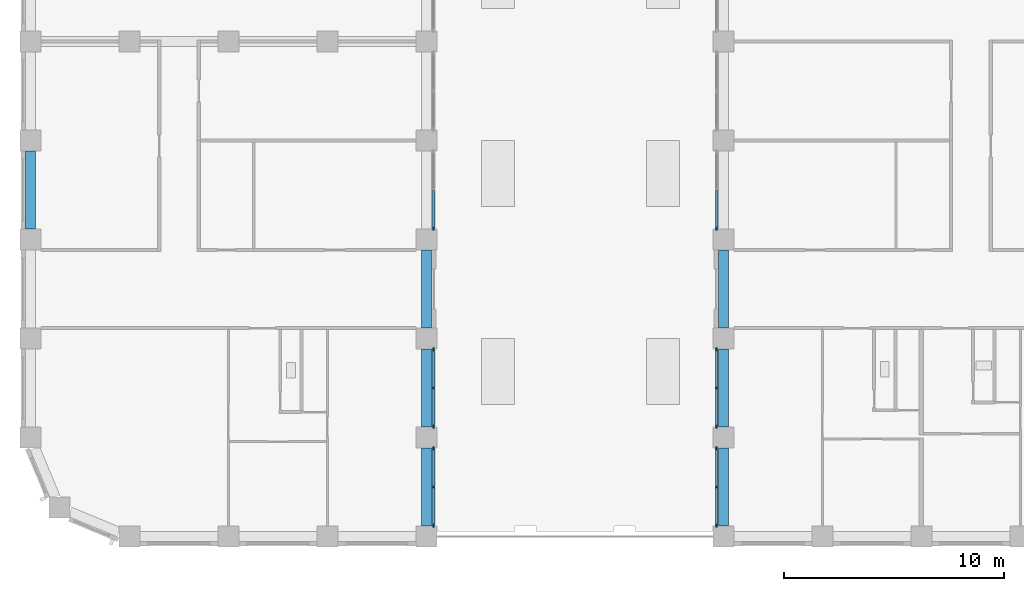
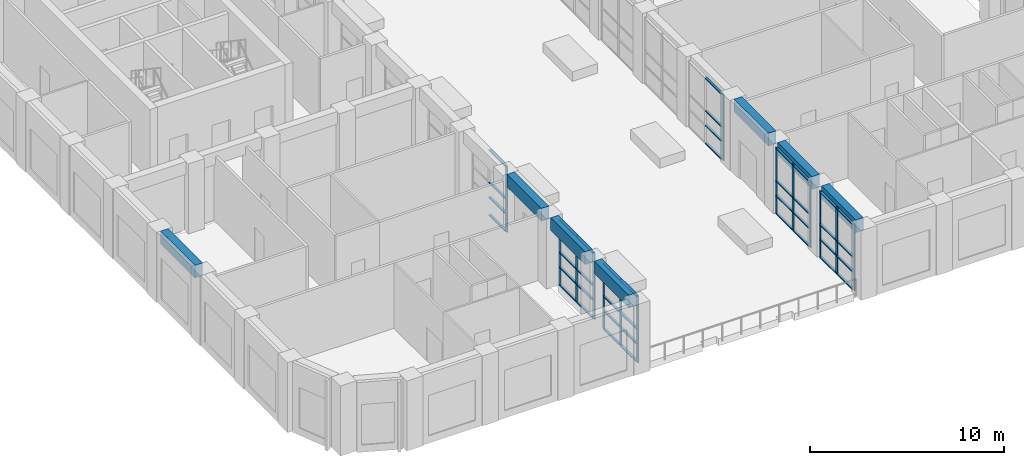
# One storey, part 2 of 20: 54 members, 7 beams, 6 elements without a shape of their own.
"""IFC4 building model written with IfcOpenShell, lengths in metres."""

from ifc_helpers import new_model, si_unit, direction, frame, origin, origin_2d, place, context, subcontext, project, spatial, rectangle, extrude, material, material_profile, profile_set, type_object, element, aggregate, save


model = new_model("IFC4")

# Units and contexts
model_context = context("Model", 3, precision=1e-05, world=origin(), true_north=direction((0.0, 1.0)))
body_context = subcontext(model_context, "Body", "Model", "MODEL_VIEW")
ifc_project = project(units=[si_unit("LENGTHUNIT", "METRE"), si_unit("AREAUNIT", "SQUARE_METRE"), si_unit("VOLUMEUNIT", "CUBIC_METRE"), si_unit("PLANEANGLEUNIT", "RADIAN"), si_unit("MASSUNIT", "GRAM", prefix="KILO")], contexts=[model_context])

# Site, building, storey
site_placement = place(None, origin())
site = spatial("IfcSite", under=ifc_project, at=site_placement, CompositionType="ELEMENT")
building_placement = place(site_placement, origin())
building = spatial("IfcBuilding", under=site, at=building_placement, Name="Girih Gate Residences", CompositionType="ELEMENT")
storey_placement = place(building_placement, frame((0.0, 0.0, 146.199951171875)))
storey = spatial("IfcBuildingStorey", under=building, at=storey_placement, Name="L41", CompositionType="ELEMENT", Elevation=146.199951171875)

# Curtain wall, members
ifc_material_1 = material(Name="Aluminium curtain wall frame", Category="aluminium")
curtain_wall_type = type_object("IfcCurtainWallType", Name="Curtain wall CW-3 sky lounge glazing", PredefinedType="NOTDEFINED", material=ifc_material_1)
curtain_wall_1_placement = place(storey_placement, origin())
curtain_wall_1 = element("IfcCurtainWall", 1, at=curtain_wall_1_placement, inside=storey, type_object=curtain_wall_type, Name="CW-3 Sky lounge glazing E0180_0000.0", PredefinedType="NOTDEFINED")
ifc_material_profile_1 = material_profile(ifc_material_1, rectangle(XDim=0.06005859375, YDim=0.179931640625, at=origin_2d()))
ifc_profile_set_1 = profile_set([ifc_material_profile_1], Name="Aluminium curtain wall frame")
member_type_1 = type_object("IfcMemberType", Name="Curtain wall mullion 60x180", PredefinedType="MULLION", material=ifc_profile_set_1)
member_1_placement = place(storey_placement, frame((18.31494140625, 0.5048828125, 0.0), z_axis=(0.0, 0.0, 1.0), x_axis=(-1.0, 0.0, 0.0)))
member_1 = element("IfcMember", 2, at=member_1_placement, type_object=member_type_1, Name="CW-3 mullion 1", PredefinedType="MULLION", context=body_context, shape_type="SweptSolid", body=[
    extrude(rectangle(XDim=0.06005859375, YDim=0.179931640625, at=origin_2d()), origin(), (0.0, 0.0, 1.0), 4.150146484375),
])
member_2_placement = place(storey_placement, frame((18.31494140625, 2.25, 0.0), z_axis=(0.0, 0.0, 1.0), x_axis=(-1.0, 0.0, 0.0)))
member_2 = element("IfcMember", 3, at=member_2_placement, type_object=member_type_1, Name="CW-3 mullion 2", PredefinedType="MULLION", context=body_context, shape_type="SweptSolid", body=[
    extrude(rectangle(XDim=0.06005859375, YDim=0.179931640625, at=origin_2d()), origin(), (0.0, 0.0, 1.0), 4.150146484375),
])
member_3_placement = place(storey_placement, frame((18.31494140625, 3.9951171875, 0.0), z_axis=(0.0, 0.0, 1.0), x_axis=(-1.0, 0.0, 0.0)))
member_3 = element("IfcMember", 4, at=member_3_placement, type_object=member_type_1, Name="CW-3 mullion 3", PredefinedType="MULLION", context=body_context, shape_type="SweptSolid", body=[
    extrude(rectangle(XDim=0.06005859375, YDim=0.179931640625, at=origin_2d()), origin(), (0.0, 0.0, 1.0), 4.150146484375),
])

curtain_wall_2_placement = place(storey_placement, origin())
curtain_wall_2 = element("IfcCurtainWall", 5, at=curtain_wall_2_placement, inside=storey, type_object=curtain_wall_type, Name="CW-3 Sky lounge glazing E0180_0000.1", PredefinedType="NOTDEFINED")
member_4_placement = place(storey_placement, frame((18.31494140625, 5.0048828125, 0.0), z_axis=(0.0, 0.0, 1.0), x_axis=(-1.0, 0.0, 0.0)))
member_4 = element("IfcMember", 6, at=member_4_placement, type_object=member_type_1, Name="CW-3 mullion 1", PredefinedType="MULLION", context=body_context, shape_type="SweptSolid", body=[
    extrude(rectangle(XDim=0.06005859375, YDim=0.179931640625, at=origin_2d()), origin(), (0.0, 0.0, 1.0), 4.150146484375),
])
member_5_placement = place(storey_placement, frame((18.31494140625, 6.75, 0.0), z_axis=(0.0, 0.0, 1.0), x_axis=(-1.0, 0.0, 0.0)))
member_5 = element("IfcMember", 7, at=member_5_placement, type_object=member_type_1, Name="CW-3 mullion 2", PredefinedType="MULLION", context=body_context, shape_type="SweptSolid", body=[
    extrude(rectangle(XDim=0.06005859375, YDim=0.179931640625, at=origin_2d()), origin(), (0.0, 0.0, 1.0), 4.150146484375),
])
member_6_placement = place(storey_placement, frame((18.31494140625, 8.4951171875, 0.0), z_axis=(0.0, 0.0, 1.0), x_axis=(-1.0, 0.0, 0.0)))
member_6 = element("IfcMember", 8, at=member_6_placement, type_object=member_type_1, Name="CW-3 mullion 3", PredefinedType="MULLION", context=body_context, shape_type="SweptSolid", body=[
    extrude(rectangle(XDim=0.06005859375, YDim=0.179931640625, at=origin_2d()), origin(), (0.0, 0.0, 1.0), 4.150146484375),
])

# Curtain wall, member
curtain_wall_3_placement = place(storey_placement, origin())
curtain_wall_3 = element("IfcCurtainWall", 9, at=curtain_wall_3_placement, inside=storey, type_object=curtain_wall_type, Name="CW-3 Sky lounge glazing E0180_0000.3", PredefinedType="NOTDEFINED")
member_7_placement = place(storey_placement, frame((18.31494140625, 14.0048828125, 0.0), z_axis=(0.0, 0.0, 1.0), x_axis=(-1.0, 0.0, 0.0)))
member_7 = element("IfcMember", 10, at=member_7_placement, type_object=member_type_1, Name="CW-3 mullion 1", PredefinedType="MULLION", context=body_context, shape_type="SweptSolid", body=[
    extrude(rectangle(XDim=0.06005859375, YDim=0.179931640625, at=origin_2d()), origin(), (0.0, 0.0, 1.0), 4.150146484375),
])

curtain_wall_4_placement = place(storey_placement, origin())
curtain_wall_4 = element("IfcCurtainWall", 11, at=curtain_wall_4_placement, inside=storey, type_object=curtain_wall_type, Name="CW-3 Sky lounge glazing W0315_0495.7", PredefinedType="NOTDEFINED")
member_8_placement = place(storey_placement, frame((31.18505859375, 14.0048828125, 0.0), z_axis=(0.0, 0.0, 1.0), x_axis=(1.0, 0.0, 0.0)))
member_8 = element("IfcMember", 12, at=member_8_placement, type_object=member_type_1, Name="CW-3 mullion 3", PredefinedType="MULLION", context=body_context, shape_type="SweptSolid", body=[
    extrude(rectangle(XDim=0.06005859375, YDim=0.179931640625, at=origin_2d()), origin(), (0.0, 0.0, 1.0), 4.150146484375),
])

# Curtain wall, members
curtain_wall_5_placement = place(storey_placement, origin())
curtain_wall_5 = element("IfcCurtainWall", 13, at=curtain_wall_5_placement, inside=storey, type_object=curtain_wall_type, Name="CW-3 Sky lounge glazing W0315_0495.9", PredefinedType="NOTDEFINED")
member_9_placement = place(storey_placement, frame((31.18505859375, 8.4951171875, 0.0), z_axis=(0.0, 0.0, 1.0), x_axis=(1.0, 0.0, 0.0)))
member_9 = element("IfcMember", 14, at=member_9_placement, type_object=member_type_1, Name="CW-3 mullion 1", PredefinedType="MULLION", context=body_context, shape_type="SweptSolid", body=[
    extrude(rectangle(XDim=0.06005859375, YDim=0.179931640625, at=origin_2d()), origin(), (0.0, 0.0, 1.0), 4.150146484375),
])
member_10_placement = place(storey_placement, frame((31.18505859375, 6.75, 0.0), z_axis=(0.0, 0.0, 1.0), x_axis=(1.0, 0.0, 0.0)))
member_10 = element("IfcMember", 15, at=member_10_placement, type_object=member_type_1, Name="CW-3 mullion 2", PredefinedType="MULLION", context=body_context, shape_type="SweptSolid", body=[
    extrude(rectangle(XDim=0.06005859375, YDim=0.179931640625, at=origin_2d()), origin(), (0.0, 0.0, 1.0), 4.150146484375),
])
member_11_placement = place(storey_placement, frame((31.18505859375, 5.0048828125, 0.0), z_axis=(0.0, 0.0, 1.0), x_axis=(1.0, 0.0, 0.0)))
member_11 = element("IfcMember", 16, at=member_11_placement, type_object=member_type_1, Name="CW-3 mullion 3", PredefinedType="MULLION", context=body_context, shape_type="SweptSolid", body=[
    extrude(rectangle(XDim=0.06005859375, YDim=0.179931640625, at=origin_2d()), origin(), (0.0, 0.0, 1.0), 4.150146484375),
])

curtain_wall_6_placement = place(storey_placement, origin())
curtain_wall_6 = element("IfcCurtainWall", 17, at=curtain_wall_6_placement, inside=storey, type_object=curtain_wall_type, Name="CW-3 Sky lounge glazing W0315_0495.10", PredefinedType="NOTDEFINED")
member_12_placement = place(storey_placement, frame((31.18505859375, 3.9951171875, 0.0), z_axis=(0.0, 0.0, 1.0), x_axis=(1.0, 0.0, 0.0)))
member_12 = element("IfcMember", 18, at=member_12_placement, type_object=member_type_1, Name="CW-3 mullion 1", PredefinedType="MULLION", context=body_context, shape_type="SweptSolid", body=[
    extrude(rectangle(XDim=0.06005859375, YDim=0.179931640625, at=origin_2d()), origin(), (0.0, 0.0, 1.0), 4.150146484375),
])
member_13_placement = place(storey_placement, frame((31.18505859375, 2.25, 0.0), z_axis=(0.0, 0.0, 1.0), x_axis=(1.0, 0.0, 0.0)))
member_13 = element("IfcMember", 19, at=member_13_placement, type_object=member_type_1, Name="CW-3 mullion 2", PredefinedType="MULLION", context=body_context, shape_type="SweptSolid", body=[
    extrude(rectangle(XDim=0.06005859375, YDim=0.179931640625, at=origin_2d()), origin(), (0.0, 0.0, 1.0), 4.150146484375),
])
member_14_placement = place(storey_placement, frame((31.18505859375, 0.5048828125, 0.0), z_axis=(0.0, 0.0, 1.0), x_axis=(1.0, 0.0, 0.0)))
member_14 = element("IfcMember", 20, at=member_14_placement, type_object=member_type_1, Name="CW-3 mullion 3", PredefinedType="MULLION", context=body_context, shape_type="SweptSolid", body=[
    extrude(rectangle(XDim=0.06005859375, YDim=0.179931640625, at=origin_2d()), origin(), (0.0, 0.0, 1.0), 4.150146484375),
])

# Member
ifc_material_profile_2 = material_profile(ifc_material_1, rectangle(XDim=0.139892578125, YDim=0.06005859375, at=origin_2d()))
ifc_profile_set_2 = profile_set([ifc_material_profile_2], Name="Aluminium curtain wall frame")
member_type_2 = type_object("IfcMemberType", Name="Curtain wall transom 60x140", PredefinedType="USERDEFINED", material=ifc_profile_set_2)
member_15_placement = place(storey_placement, frame((18.31494140625, 0.534912109375, 0.030029296875), z_axis=(0.0, 1.0, 0.0), x_axis=(-1.0, 0.0, 0.0)))
member_15 = element("IfcMember", 21, at=member_15_placement, type_object=member_type_2, Name="CW-3 transom 1.1", ObjectType="TRANSOM", PredefinedType="USERDEFINED", context=body_context, shape_type="SweptSolid", body=[
    extrude(rectangle(XDim=0.139892578125, YDim=0.06005859375, at=origin_2d()), origin(), (0.0, 0.0, 1.0), 1.68505859375),
])

member_16_placement = place(storey_placement, frame((18.31494140625, 0.534912109375, 1.150146484375), z_axis=(0.0, 1.0, 0.0), x_axis=(-1.0, 0.0, 0.0)))
member_16 = element("IfcMember", 22, at=member_16_placement, type_object=member_type_2, Name="CW-3 transom 1.2", ObjectType="TRANSOM", PredefinedType="USERDEFINED", context=body_context, shape_type="SweptSolid", body=[
    extrude(rectangle(XDim=0.139892578125, YDim=0.06005859375, at=origin_2d()), origin(), (0.0, 0.0, 1.0), 1.68505859375),
])

member_17_placement = place(storey_placement, frame((18.31494140625, 0.534912109375, 2.074951171875), z_axis=(0.0, 1.0, 0.0), x_axis=(-1.0, 0.0, 0.0)))
member_17 = element("IfcMember", 23, at=member_17_placement, type_object=member_type_2, Name="CW-3 transom 1.3", ObjectType="TRANSOM", PredefinedType="USERDEFINED", context=body_context, shape_type="SweptSolid", body=[
    extrude(rectangle(XDim=0.139892578125, YDim=0.06005859375, at=origin_2d()), origin(), (0.0, 0.0, 1.0), 1.68505859375),
])

member_18_placement = place(storey_placement, frame((18.31494140625, 0.534912109375, 4.1201171875), z_axis=(0.0, 1.0, 0.0), x_axis=(-1.0, 0.0, 0.0)))
member_18 = element("IfcMember", 24, at=member_18_placement, type_object=member_type_2, Name="CW-3 transom 1.4", ObjectType="TRANSOM", PredefinedType="USERDEFINED", context=body_context, shape_type="SweptSolid", body=[
    extrude(rectangle(XDim=0.139892578125, YDim=0.06005859375, at=origin_2d()), origin(), (0.0, 0.0, 1.0), 1.68505859375),
])

member_19_placement = place(storey_placement, frame((18.31494140625, 2.280029296875, 0.030029296875), z_axis=(0.0, 1.0, 0.0), x_axis=(-1.0, 0.0, 0.0)))
member_19 = element("IfcMember", 25, at=member_19_placement, type_object=member_type_2, Name="CW-3 transom 2.1", ObjectType="TRANSOM", PredefinedType="USERDEFINED", context=body_context, shape_type="SweptSolid", body=[
    extrude(rectangle(XDim=0.139892578125, YDim=0.06005859375, at=origin_2d()), origin(), (0.0, 0.0, 1.0), 1.68505859375),
])

member_20_placement = place(storey_placement, frame((18.31494140625, 2.280029296875, 1.150146484375), z_axis=(0.0, 1.0, 0.0), x_axis=(-1.0, 0.0, 0.0)))
member_20 = element("IfcMember", 26, at=member_20_placement, type_object=member_type_2, Name="CW-3 transom 2.2", ObjectType="TRANSOM", PredefinedType="USERDEFINED", context=body_context, shape_type="SweptSolid", body=[
    extrude(rectangle(XDim=0.139892578125, YDim=0.06005859375, at=origin_2d()), origin(), (0.0, 0.0, 1.0), 1.68505859375),
])

member_21_placement = place(storey_placement, frame((18.31494140625, 2.280029296875, 2.074951171875), z_axis=(0.0, 1.0, 0.0), x_axis=(-1.0, 0.0, 0.0)))
member_21 = element("IfcMember", 27, at=member_21_placement, type_object=member_type_2, Name="CW-3 transom 2.3", ObjectType="TRANSOM", PredefinedType="USERDEFINED", context=body_context, shape_type="SweptSolid", body=[
    extrude(rectangle(XDim=0.139892578125, YDim=0.06005859375, at=origin_2d()), origin(), (0.0, 0.0, 1.0), 1.68505859375),
])

member_22_placement = place(storey_placement, frame((18.31494140625, 2.280029296875, 4.1201171875), z_axis=(0.0, 1.0, 0.0), x_axis=(-1.0, 0.0, 0.0)))
member_22 = element("IfcMember", 28, at=member_22_placement, type_object=member_type_2, Name="CW-3 transom 2.4", ObjectType="TRANSOM", PredefinedType="USERDEFINED", context=body_context, shape_type="SweptSolid", body=[
    extrude(rectangle(XDim=0.139892578125, YDim=0.06005859375, at=origin_2d()), origin(), (0.0, 0.0, 1.0), 1.68505859375),
])

aggregate(curtain_wall_1, [member_1, member_2, member_3, member_15, member_16, member_17, member_18, member_19, member_20, member_21, member_22])

member_23_placement = place(storey_placement, frame((18.31494140625, 5.034912109375, 0.030029296875), z_axis=(0.0, 1.0, 0.0), x_axis=(-1.0, 0.0, 0.0)))
member_23 = element("IfcMember", 29, at=member_23_placement, type_object=member_type_2, Name="CW-3 transom 1.1", ObjectType="TRANSOM", PredefinedType="USERDEFINED", context=body_context, shape_type="SweptSolid", body=[
    extrude(rectangle(XDim=0.139892578125, YDim=0.06005859375, at=origin_2d()), origin(), (0.0, 0.0, 1.0), 1.68505859375),
])

member_24_placement = place(storey_placement, frame((18.31494140625, 5.034912109375, 1.150146484375), z_axis=(0.0, 1.0, 0.0), x_axis=(-1.0, 0.0, 0.0)))
member_24 = element("IfcMember", 30, at=member_24_placement, type_object=member_type_2, Name="CW-3 transom 1.2", ObjectType="TRANSOM", PredefinedType="USERDEFINED", context=body_context, shape_type="SweptSolid", body=[
    extrude(rectangle(XDim=0.139892578125, YDim=0.06005859375, at=origin_2d()), origin(), (0.0, 0.0, 1.0), 1.68505859375),
])

member_25_placement = place(storey_placement, frame((18.31494140625, 5.034912109375, 2.074951171875), z_axis=(0.0, 1.0, 0.0), x_axis=(-1.0, 0.0, 0.0)))
member_25 = element("IfcMember", 31, at=member_25_placement, type_object=member_type_2, Name="CW-3 transom 1.3", ObjectType="TRANSOM", PredefinedType="USERDEFINED", context=body_context, shape_type="SweptSolid", body=[
    extrude(rectangle(XDim=0.139892578125, YDim=0.06005859375, at=origin_2d()), origin(), (0.0, 0.0, 1.0), 1.68505859375),
])

member_26_placement = place(storey_placement, frame((18.31494140625, 5.034912109375, 4.1201171875), z_axis=(0.0, 1.0, 0.0), x_axis=(-1.0, 0.0, 0.0)))
member_26 = element("IfcMember", 32, at=member_26_placement, type_object=member_type_2, Name="CW-3 transom 1.4", ObjectType="TRANSOM", PredefinedType="USERDEFINED", context=body_context, shape_type="SweptSolid", body=[
    extrude(rectangle(XDim=0.139892578125, YDim=0.06005859375, at=origin_2d()), origin(), (0.0, 0.0, 1.0), 1.68505859375),
])

member_27_placement = place(storey_placement, frame((18.31494140625, 6.780029296875, 0.030029296875), z_axis=(0.0, 1.0, 0.0), x_axis=(-1.0, 0.0, 0.0)))
member_27 = element("IfcMember", 33, at=member_27_placement, type_object=member_type_2, Name="CW-3 transom 2.1", ObjectType="TRANSOM", PredefinedType="USERDEFINED", context=body_context, shape_type="SweptSolid", body=[
    extrude(rectangle(XDim=0.139892578125, YDim=0.06005859375, at=origin_2d()), origin(), (0.0, 0.0, 1.0), 1.68505859375),
])

member_28_placement = place(storey_placement, frame((18.31494140625, 6.780029296875, 1.150146484375), z_axis=(0.0, 1.0, 0.0), x_axis=(-1.0, 0.0, 0.0)))
member_28 = element("IfcMember", 34, at=member_28_placement, type_object=member_type_2, Name="CW-3 transom 2.2", ObjectType="TRANSOM", PredefinedType="USERDEFINED", context=body_context, shape_type="SweptSolid", body=[
    extrude(rectangle(XDim=0.139892578125, YDim=0.06005859375, at=origin_2d()), origin(), (0.0, 0.0, 1.0), 1.68505859375),
])

member_29_placement = place(storey_placement, frame((18.31494140625, 6.780029296875, 2.074951171875), z_axis=(0.0, 1.0, 0.0), x_axis=(-1.0, 0.0, 0.0)))
member_29 = element("IfcMember", 35, at=member_29_placement, type_object=member_type_2, Name="CW-3 transom 2.3", ObjectType="TRANSOM", PredefinedType="USERDEFINED", context=body_context, shape_type="SweptSolid", body=[
    extrude(rectangle(XDim=0.139892578125, YDim=0.06005859375, at=origin_2d()), origin(), (0.0, 0.0, 1.0), 1.68505859375),
])

member_30_placement = place(storey_placement, frame((18.31494140625, 6.780029296875, 4.1201171875), z_axis=(0.0, 1.0, 0.0), x_axis=(-1.0, 0.0, 0.0)))
member_30 = element("IfcMember", 36, at=member_30_placement, type_object=member_type_2, Name="CW-3 transom 2.4", ObjectType="TRANSOM", PredefinedType="USERDEFINED", context=body_context, shape_type="SweptSolid", body=[
    extrude(rectangle(XDim=0.139892578125, YDim=0.06005859375, at=origin_2d()), origin(), (0.0, 0.0, 1.0), 1.68505859375),
])

aggregate(curtain_wall_2, [member_4, member_5, member_6, member_23, member_24, member_25, member_26, member_27, member_28, member_29, member_30])

member_31_placement = place(storey_placement, frame((18.31494140625, 14.034912109375, 0.030029296875), z_axis=(0.0, 1.0, 0.0), x_axis=(-1.0, 0.0, 0.0)))
member_31 = element("IfcMember", 37, at=member_31_placement, type_object=member_type_2, Name="CW-3 transom 1.1", ObjectType="TRANSOM", PredefinedType="USERDEFINED", context=body_context, shape_type="SweptSolid", body=[
    extrude(rectangle(XDim=0.139892578125, YDim=0.06005859375, at=origin_2d()), origin(), (0.0, 0.0, 1.0), 1.68505859375),
])

member_32_placement = place(storey_placement, frame((18.31494140625, 14.034912109375, 1.150146484375), z_axis=(0.0, 1.0, 0.0), x_axis=(-1.0, 0.0, 0.0)))
member_32 = element("IfcMember", 38, at=member_32_placement, type_object=member_type_2, Name="CW-3 transom 1.2", ObjectType="TRANSOM", PredefinedType="USERDEFINED", context=body_context, shape_type="SweptSolid", body=[
    extrude(rectangle(XDim=0.139892578125, YDim=0.06005859375, at=origin_2d()), origin(), (0.0, 0.0, 1.0), 1.68505859375),
])

member_33_placement = place(storey_placement, frame((18.31494140625, 14.034912109375, 2.074951171875), z_axis=(0.0, 1.0, 0.0), x_axis=(-1.0, 0.0, 0.0)))
member_33 = element("IfcMember", 39, at=member_33_placement, type_object=member_type_2, Name="CW-3 transom 1.3", ObjectType="TRANSOM", PredefinedType="USERDEFINED", context=body_context, shape_type="SweptSolid", body=[
    extrude(rectangle(XDim=0.139892578125, YDim=0.06005859375, at=origin_2d()), origin(), (0.0, 0.0, 1.0), 1.68505859375),
])

member_34_placement = place(storey_placement, frame((18.31494140625, 14.034912109375, 4.1201171875), z_axis=(0.0, 1.0, 0.0), x_axis=(-1.0, 0.0, 0.0)))
member_34 = element("IfcMember", 40, at=member_34_placement, type_object=member_type_2, Name="CW-3 transom 1.4", ObjectType="TRANSOM", PredefinedType="USERDEFINED", context=body_context, shape_type="SweptSolid", body=[
    extrude(rectangle(XDim=0.139892578125, YDim=0.06005859375, at=origin_2d()), origin(), (0.0, 0.0, 1.0), 1.68505859375),
])

aggregate(curtain_wall_3, [member_7, member_31, member_32, member_33, member_34])

member_35_placement = place(storey_placement, frame((31.18505859375, 15.719970703125, 0.030029296875), z_axis=(0.0, -1.0, 0.0), x_axis=(1.0, 0.0, 0.0)))
member_35 = element("IfcMember", 41, at=member_35_placement, type_object=member_type_2, Name="CW-3 transom 2.1", ObjectType="TRANSOM", PredefinedType="USERDEFINED", context=body_context, shape_type="SweptSolid", body=[
    extrude(rectangle(XDim=0.139892578125, YDim=0.06005859375, at=origin_2d()), origin(), (0.0, 0.0, 1.0), 1.68505859375),
])

member_36_placement = place(storey_placement, frame((31.18505859375, 15.719970703125, 1.150146484375), z_axis=(0.0, -1.0, 0.0), x_axis=(1.0, 0.0, 0.0)))
member_36 = element("IfcMember", 42, at=member_36_placement, type_object=member_type_2, Name="CW-3 transom 2.2", ObjectType="TRANSOM", PredefinedType="USERDEFINED", context=body_context, shape_type="SweptSolid", body=[
    extrude(rectangle(XDim=0.139892578125, YDim=0.06005859375, at=origin_2d()), origin(), (0.0, 0.0, 1.0), 1.68505859375),
])

member_37_placement = place(storey_placement, frame((31.18505859375, 15.719970703125, 2.074951171875), z_axis=(0.0, -1.0, 0.0), x_axis=(1.0, 0.0, 0.0)))
member_37 = element("IfcMember", 43, at=member_37_placement, type_object=member_type_2, Name="CW-3 transom 2.3", ObjectType="TRANSOM", PredefinedType="USERDEFINED", context=body_context, shape_type="SweptSolid", body=[
    extrude(rectangle(XDim=0.139892578125, YDim=0.06005859375, at=origin_2d()), origin(), (0.0, 0.0, 1.0), 1.68505859375),
])

member_38_placement = place(storey_placement, frame((31.18505859375, 15.719970703125, 4.1201171875), z_axis=(0.0, -1.0, 0.0), x_axis=(1.0, 0.0, 0.0)))
member_38 = element("IfcMember", 44, at=member_38_placement, type_object=member_type_2, Name="CW-3 transom 2.4", ObjectType="TRANSOM", PredefinedType="USERDEFINED", context=body_context, shape_type="SweptSolid", body=[
    extrude(rectangle(XDim=0.139892578125, YDim=0.06005859375, at=origin_2d()), origin(), (0.0, 0.0, 1.0), 1.68505859375),
])

aggregate(curtain_wall_4, [member_8, member_35, member_36, member_37, member_38])

member_39_placement = place(storey_placement, frame((31.18505859375, 8.465087890625, 0.030029296875), z_axis=(0.0, -1.0, 0.0), x_axis=(1.0, 0.0, 0.0)))
member_39 = element("IfcMember", 45, at=member_39_placement, type_object=member_type_2, Name="CW-3 transom 1.1", ObjectType="TRANSOM", PredefinedType="USERDEFINED", context=body_context, shape_type="SweptSolid", body=[
    extrude(rectangle(XDim=0.139892578125, YDim=0.06005859375, at=origin_2d()), origin(), (0.0, 0.0, 1.0), 1.68505859375),
])

member_40_placement = place(storey_placement, frame((31.18505859375, 8.465087890625, 1.150146484375), z_axis=(0.0, -1.0, 0.0), x_axis=(1.0, 0.0, 0.0)))
member_40 = element("IfcMember", 46, at=member_40_placement, type_object=member_type_2, Name="CW-3 transom 1.2", ObjectType="TRANSOM", PredefinedType="USERDEFINED", context=body_context, shape_type="SweptSolid", body=[
    extrude(rectangle(XDim=0.139892578125, YDim=0.06005859375, at=origin_2d()), origin(), (0.0, 0.0, 1.0), 1.68505859375),
])

member_41_placement = place(storey_placement, frame((31.18505859375, 8.465087890625, 2.074951171875), z_axis=(0.0, -1.0, 0.0), x_axis=(1.0, 0.0, 0.0)))
member_41 = element("IfcMember", 47, at=member_41_placement, type_object=member_type_2, Name="CW-3 transom 1.3", ObjectType="TRANSOM", PredefinedType="USERDEFINED", context=body_context, shape_type="SweptSolid", body=[
    extrude(rectangle(XDim=0.139892578125, YDim=0.06005859375, at=origin_2d()), origin(), (0.0, 0.0, 1.0), 1.68505859375),
])

member_42_placement = place(storey_placement, frame((31.18505859375, 8.465087890625, 4.1201171875), z_axis=(0.0, -1.0, 0.0), x_axis=(1.0, 0.0, 0.0)))
member_42 = element("IfcMember", 48, at=member_42_placement, type_object=member_type_2, Name="CW-3 transom 1.4", ObjectType="TRANSOM", PredefinedType="USERDEFINED", context=body_context, shape_type="SweptSolid", body=[
    extrude(rectangle(XDim=0.139892578125, YDim=0.06005859375, at=origin_2d()), origin(), (0.0, 0.0, 1.0), 1.68505859375),
])

member_43_placement = place(storey_placement, frame((31.18505859375, 6.719970703125, 0.030029296875), z_axis=(0.0, -1.0, 0.0), x_axis=(1.0, 0.0, 0.0)))
member_43 = element("IfcMember", 49, at=member_43_placement, type_object=member_type_2, Name="CW-3 transom 2.1", ObjectType="TRANSOM", PredefinedType="USERDEFINED", context=body_context, shape_type="SweptSolid", body=[
    extrude(rectangle(XDim=0.139892578125, YDim=0.06005859375, at=origin_2d()), origin(), (0.0, 0.0, 1.0), 1.68505859375),
])

member_44_placement = place(storey_placement, frame((31.18505859375, 6.719970703125, 1.150146484375), z_axis=(0.0, -1.0, 0.0), x_axis=(1.0, 0.0, 0.0)))
member_44 = element("IfcMember", 50, at=member_44_placement, type_object=member_type_2, Name="CW-3 transom 2.2", ObjectType="TRANSOM", PredefinedType="USERDEFINED", context=body_context, shape_type="SweptSolid", body=[
    extrude(rectangle(XDim=0.139892578125, YDim=0.06005859375, at=origin_2d()), origin(), (0.0, 0.0, 1.0), 1.68505859375),
])

member_45_placement = place(storey_placement, frame((31.18505859375, 6.719970703125, 2.074951171875), z_axis=(0.0, -1.0, 0.0), x_axis=(1.0, 0.0, 0.0)))
member_45 = element("IfcMember", 51, at=member_45_placement, type_object=member_type_2, Name="CW-3 transom 2.3", ObjectType="TRANSOM", PredefinedType="USERDEFINED", context=body_context, shape_type="SweptSolid", body=[
    extrude(rectangle(XDim=0.139892578125, YDim=0.06005859375, at=origin_2d()), origin(), (0.0, 0.0, 1.0), 1.68505859375),
])

member_46_placement = place(storey_placement, frame((31.18505859375, 6.719970703125, 4.1201171875), z_axis=(0.0, -1.0, 0.0), x_axis=(1.0, 0.0, 0.0)))
member_46 = element("IfcMember", 52, at=member_46_placement, type_object=member_type_2, Name="CW-3 transom 2.4", ObjectType="TRANSOM", PredefinedType="USERDEFINED", context=body_context, shape_type="SweptSolid", body=[
    extrude(rectangle(XDim=0.139892578125, YDim=0.06005859375, at=origin_2d()), origin(), (0.0, 0.0, 1.0), 1.68505859375),
])

aggregate(curtain_wall_5, [member_9, member_10, member_11, member_39, member_40, member_41, member_42, member_43, member_44, member_45, member_46])

member_47_placement = place(storey_placement, frame((31.18505859375, 3.965087890625, 0.030029296875), z_axis=(0.0, -1.0, 0.0), x_axis=(1.0, 0.0, 0.0)))
member_47 = element("IfcMember", 53, at=member_47_placement, type_object=member_type_2, Name="CW-3 transom 1.1", ObjectType="TRANSOM", PredefinedType="USERDEFINED", context=body_context, shape_type="SweptSolid", body=[
    extrude(rectangle(XDim=0.139892578125, YDim=0.06005859375, at=origin_2d()), origin(), (0.0, 0.0, 1.0), 1.68505859375),
])

member_48_placement = place(storey_placement, frame((31.18505859375, 3.965087890625, 1.150146484375), z_axis=(0.0, -1.0, 0.0), x_axis=(1.0, 0.0, 0.0)))
member_48 = element("IfcMember", 54, at=member_48_placement, type_object=member_type_2, Name="CW-3 transom 1.2", ObjectType="TRANSOM", PredefinedType="USERDEFINED", context=body_context, shape_type="SweptSolid", body=[
    extrude(rectangle(XDim=0.139892578125, YDim=0.06005859375, at=origin_2d()), origin(), (0.0, 0.0, 1.0), 1.68505859375),
])

member_49_placement = place(storey_placement, frame((31.18505859375, 3.965087890625, 2.074951171875), z_axis=(0.0, -1.0, 0.0), x_axis=(1.0, 0.0, 0.0)))
member_49 = element("IfcMember", 55, at=member_49_placement, type_object=member_type_2, Name="CW-3 transom 1.3", ObjectType="TRANSOM", PredefinedType="USERDEFINED", context=body_context, shape_type="SweptSolid", body=[
    extrude(rectangle(XDim=0.139892578125, YDim=0.06005859375, at=origin_2d()), origin(), (0.0, 0.0, 1.0), 1.68505859375),
])

member_50_placement = place(storey_placement, frame((31.18505859375, 3.965087890625, 4.1201171875), z_axis=(0.0, -1.0, 0.0), x_axis=(1.0, 0.0, 0.0)))
member_50 = element("IfcMember", 56, at=member_50_placement, type_object=member_type_2, Name="CW-3 transom 1.4", ObjectType="TRANSOM", PredefinedType="USERDEFINED", context=body_context, shape_type="SweptSolid", body=[
    extrude(rectangle(XDim=0.139892578125, YDim=0.06005859375, at=origin_2d()), origin(), (0.0, 0.0, 1.0), 1.68505859375),
])

member_51_placement = place(storey_placement, frame((31.18505859375, 2.219970703125, 0.030029296875), z_axis=(0.0, -1.0, 0.0), x_axis=(1.0, 0.0, 0.0)))
member_51 = element("IfcMember", 57, at=member_51_placement, type_object=member_type_2, Name="CW-3 transom 2.1", ObjectType="TRANSOM", PredefinedType="USERDEFINED", context=body_context, shape_type="SweptSolid", body=[
    extrude(rectangle(XDim=0.139892578125, YDim=0.06005859375, at=origin_2d()), origin(), (0.0, 0.0, 1.0), 1.68505859375),
])

member_52_placement = place(storey_placement, frame((31.18505859375, 2.219970703125, 1.150146484375), z_axis=(0.0, -1.0, 0.0), x_axis=(1.0, 0.0, 0.0)))
member_52 = element("IfcMember", 58, at=member_52_placement, type_object=member_type_2, Name="CW-3 transom 2.2", ObjectType="TRANSOM", PredefinedType="USERDEFINED", context=body_context, shape_type="SweptSolid", body=[
    extrude(rectangle(XDim=0.139892578125, YDim=0.06005859375, at=origin_2d()), origin(), (0.0, 0.0, 1.0), 1.68505859375),
])

member_53_placement = place(storey_placement, frame((31.18505859375, 2.219970703125, 2.074951171875), z_axis=(0.0, -1.0, 0.0), x_axis=(1.0, 0.0, 0.0)))
member_53 = element("IfcMember", 59, at=member_53_placement, type_object=member_type_2, Name="CW-3 transom 2.3", ObjectType="TRANSOM", PredefinedType="USERDEFINED", context=body_context, shape_type="SweptSolid", body=[
    extrude(rectangle(XDim=0.139892578125, YDim=0.06005859375, at=origin_2d()), origin(), (0.0, 0.0, 1.0), 1.68505859375),
])

member_54_placement = place(storey_placement, frame((31.18505859375, 2.219970703125, 4.1201171875), z_axis=(0.0, -1.0, 0.0), x_axis=(1.0, 0.0, 0.0)))
member_54 = element("IfcMember", 60, at=member_54_placement, type_object=member_type_2, Name="CW-3 transom 2.4", ObjectType="TRANSOM", PredefinedType="USERDEFINED", context=body_context, shape_type="SweptSolid", body=[
    extrude(rectangle(XDim=0.139892578125, YDim=0.06005859375, at=origin_2d()), origin(), (0.0, 0.0, 1.0), 1.68505859375),
])

aggregate(curtain_wall_6, [member_12, member_13, member_14, member_47, member_48, member_49, member_50, member_51, member_52, member_53, member_54])

# Beams
ifc_material_2 = material(Name="Concrete C60/75", Category="concrete")
ifc_material_profile_3 = material_profile(ifc_material_2, rectangle(XDim=0.449951171875, YDim=0.800048828125, at=origin_2d()))
ifc_profile_set_3 = profile_set([ifc_material_profile_3], Name="Concrete C60/75")
beam_type = type_object("IfcBeamType", Name="Spandrel girder RC 450x800 Concrete C60/75", PredefinedType="BEAM", material=ifc_profile_set_3)
for number, where, z_axis, x_axis, name in (
    (61, (0.0, 17.52490234375, 4.0), (0.0, -1.0, 0.0), (1.0, 0.0, 0.0), "Spandrel girder SP-P1E-P1D L41"),
    (62, (18.0, 0.47509765625, 4.0), (0.0, 1.0, 0.0), (-1.0, 0.0, 0.0), "Spandrel girder SP-P5A-P5B L41"),
    (63, (18.0, 4.97509765625, 4.0), (0.0, 1.0, 0.0), (-1.0, 0.0, 0.0), "Spandrel girder SP-P5B-P5C L41"),
    (64, (18.0, 9.47509765625, 4.0), (0.0, 1.0, 0.0), (-1.0, 0.0, 0.0), "Spandrel girder SP-P5C-P5D L41"),
    (65, (31.5, 13.02490234375, 4.0), (0.0, -1.0, 0.0), (1.0, 0.0, 0.0), "Spandrel girder SP-P8D-P8C L41"),
    (66, (31.5, 8.52490234375, 4.0), (0.0, -1.0, 0.0), (1.0, 0.0, 0.0), "Spandrel girder SP-P8C-P8B L41"),
    (67, (31.5, 4.02490234375, 4.0), (0.0, -1.0, 0.0), (1.0, 0.0, 0.0), "Spandrel girder SP-P8B-P8A L41"),
):
    element("IfcBeam", number, at=place(storey_placement, frame(where, z_axis=z_axis, x_axis=x_axis)), inside=storey, type_object=beam_type, Name=name, PredefinedType="BEAM", context=body_context, shape_type="SweptSolid", body=[
        extrude(rectangle(XDim=0.449951171875, YDim=0.800048828125, at=origin_2d()), origin(), (0.0, 0.0, 1.0), 3.5498046875),
    ])

save(model, "model.ifc")
